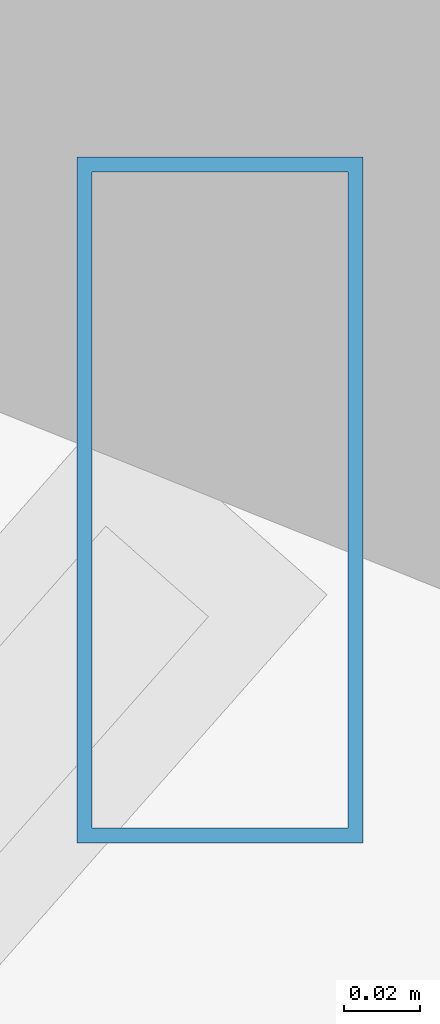
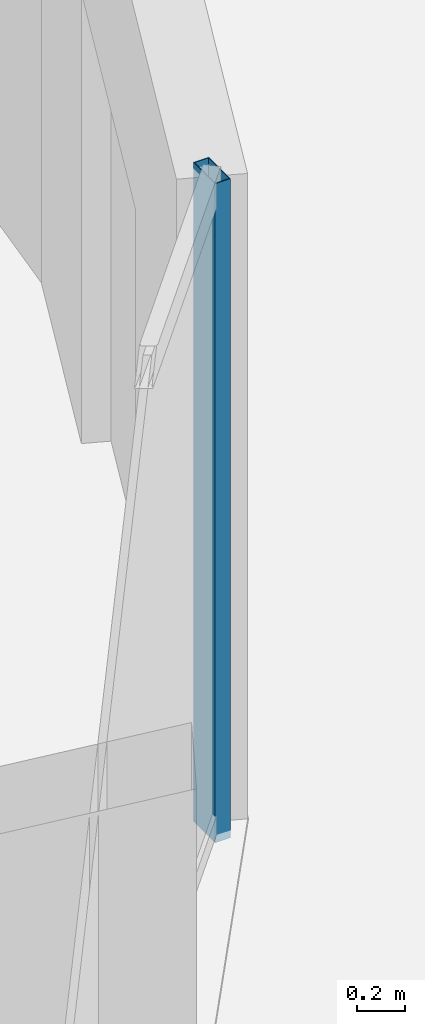
# One storey, part 13 of 30: 1 member, 1 element without a shape of its own.
"""IFC4 building model written with IfcOpenShell, lengths in metres."""

from ifc_helpers import new_model, si_unit, direction, frame, origin, origin_2d, place, context, subcontext, project, spatial, hollow_rectangle, extrude, material, material_profile, profile_set, type_object, element, aggregate, save


model = new_model("IFC4")

# Units and contexts
model_context = context("Model", 3, precision=1e-05, world=origin(), true_north=direction((0.0, 1.0)))
body_context = subcontext(model_context, "Body", "Model", "MODEL_VIEW")
ifc_project = project(units=[si_unit("LENGTHUNIT", "METRE"), si_unit("AREAUNIT", "SQUARE_METRE"), si_unit("VOLUMEUNIT", "CUBIC_METRE"), si_unit("PLANEANGLEUNIT", "RADIAN"), si_unit("MASSUNIT", "GRAM", prefix="KILO")], contexts=[model_context])

# Site, building, storey
site_placement = place(None, origin())
site = spatial("IfcSite", under=ifc_project, at=site_placement, CompositionType="ELEMENT")
building_placement = place(site_placement, origin())
building = spatial("IfcBuilding", under=site, at=building_placement, Name="Vorneva Point Tower", CompositionType="ELEMENT")
storey_placement = place(building_placement, frame((0.0, 0.0, 241.35009765625)))
storey = spatial("IfcBuildingStorey", under=building, at=storey_placement, Name="L65", CompositionType="ELEMENT", Elevation=241.35009765625)

# Curtain wall, member
ifc_material = material(Name="Pale anodised aluminium", Category="aluminium")
curtain_wall_type = type_object("IfcCurtainWallType", Name="CW-RES-SYS", PredefinedType="NOTDEFINED", material=ifc_material)
curtain_wall_placement = place(storey_placement, origin())
curtain_wall = element("IfcCurtainWall", 1, at=curtain_wall_placement, inside=storey, type_object=curtain_wall_type, Name="L65 Unitised Curtain Wall CW-L65-R04", PredefinedType="NOTDEFINED")
ifc_material_profile = material_profile(ifc_material, hollow_rectangle(XDim=0.074951171875, YDim=0.179931640625, WallThickness=0.00390625, at=origin_2d()), Name="AL-MUL 180x75x4")
ifc_profile_set = profile_set([ifc_material_profile], Name="Pale anodised aluminium")
member_type = type_object("IfcMemberType", Name="CW-MUL-180", PredefinedType="MULLION", material=ifc_profile_set)
member_placement = place(storey_placement, frame((62.20556640625, 18.4189453125, -0.0400390625), z_axis=(0.0, 0.0, 1.0), x_axis=(1.0, 0.0, 0.0)))
member = element("IfcMember", 2, at=member_placement, type_object=member_type, Name="CW-L65-R04 Mullion 06", PredefinedType="MULLION", context=body_context, shape_type="SweptSolid", body=[
    extrude(hollow_rectangle(XDim=0.074951171875, YDim=0.179931640625, WallThickness=0.00390625, at=origin_2d()), origin(), (0.0, 0.0, 1.0), 3.35986328125),
])
aggregate(curtain_wall, [member])

save(model, "model.ifc")
